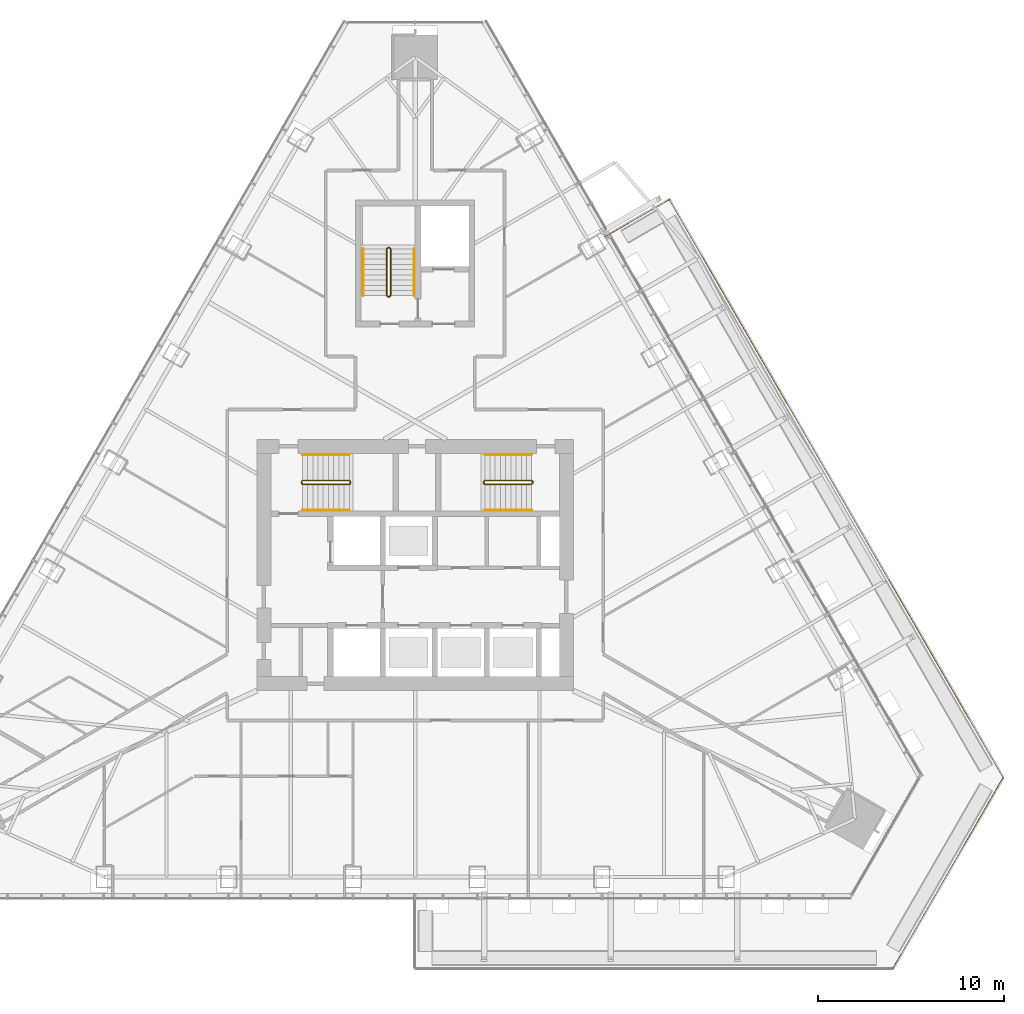
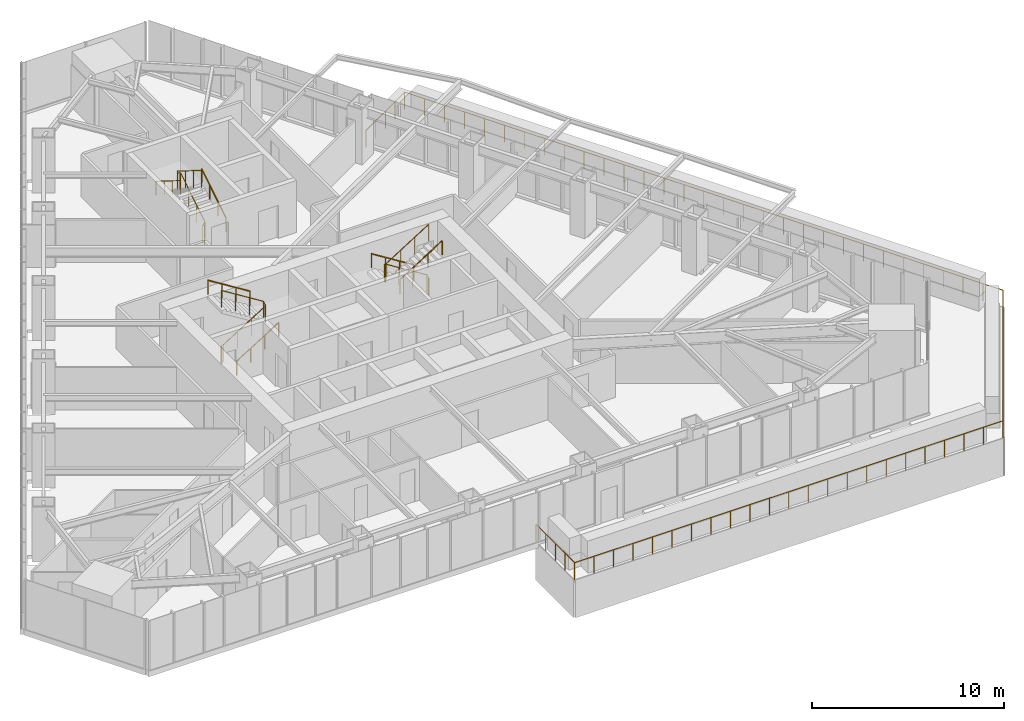
# One storey, part 15 of 17: 10 railings.
"""IFC4 building model written with IfcOpenShell, lengths in metres."""

from ifc_helpers import new_model, si_unit, direction, frame, origin, origin_2d, place, context, subcontext, project, spatial, circle, extrude, material, type_object, element, save


model = new_model("IFC4")

# Units and contexts
model_context = context("Model", 3, precision=1e-05, world=origin(), true_north=direction((0.0, 1.0)))
body_context = subcontext(model_context, "Body", "Model", "MODEL_VIEW")
ifc_project = project(units=[si_unit("LENGTHUNIT", "METRE"), si_unit("AREAUNIT", "SQUARE_METRE"), si_unit("VOLUMEUNIT", "CUBIC_METRE"), si_unit("PLANEANGLEUNIT", "RADIAN"), si_unit("MASSUNIT", "GRAM", prefix="KILO")], contexts=[model_context])

# Site, building, storey
site_placement = place(None, origin())
site = spatial("IfcSite", under=ifc_project, at=site_placement, CompositionType="ELEMENT")
building_placement = place(site_placement, origin())
building = spatial("IfcBuilding", under=site, at=building_placement, Name="Firuza Gate Tower and Library", CompositionType="ELEMENT")
storey_placement = place(building_placement, frame((0.0, 0.0, 263.60009765625)))
storey = spatial("IfcBuildingStorey", under=building, at=storey_placement, Name="L62", CompositionType="ELEMENT", Elevation=263.60009765625)

# Railings
ifc_material_1 = material(Name="Steel S355", Category="steel")
railing_type_1 = type_object("IfcRailingType", Name="Stair guard 1100", PredefinedType="GUARDRAIL", material=ifc_material_1)
railing_1_placement = place(storey_placement, frame((68.889892578125, 79.389892578125, 0.0)))
element("IfcRailing", 1, at=railing_1_placement, inside=storey, type_object=railing_type_1, Name="L62 ST1 stair guard 1", PredefinedType="GUARDRAIL", context=body_context, shape_type="SweptSolid", body=[
    extrude(circle(Radius=0.02392578125, at=origin_2d()), frame((0.0, 0.0, 1.076171875), z_axis=(0.0, 1.0, 0.0), x_axis=(-1.0, 0.0, 0.0)), (0.0, 0.0, 1.0), 0.10009765625),
    extrude(circle(Radius=0.02392578125, at=origin_2d()), frame((0.0, 0.10009765625, 1.076171875), z_axis=(0.212383695785, -0.636115069328, 0.741788908207), x_axis=(0.948528701346, 0.316691178788, 0.0)), (0.0, 0.0, 1.0), 0.235595703125),
    extrude(circle(Radius=0.02392578125, at=origin_2d()), frame((0.050048828125, -0.0498046875, 1.2509765625), z_axis=(0.847970611238, 0.0, 0.530043245855), x_axis=(0.0, 1.0, 0.0)), (0.0, 0.0, 1.0), 2.971923828125),
    extrude(circle(Radius=0.02392578125, at=origin_2d()), frame((2.570068359375, -0.0498046875, 2.826171875), z_axis=(0.708833529934, 0.705375805398, 0.0), x_axis=(-0.705375805398, 0.708833529934, 0.0)), (0.0, 0.0, 1.0), 0.070556640625),
    extrude(circle(Radius=0.02392578125, at=origin_2d()), frame((2.6201171875, 0.0, 2.826171875), z_axis=(0.0, 1.0, 0.0), x_axis=(-1.0, 0.0, 0.0)), (0.0, 0.0, 1.0), 0.10009765625),
    extrude(circle(Radius=0.02392578125, at=origin_2d()), frame((2.6201171875, 0.10009765625, 2.826171875), z_axis=(-0.265383341853, 0.265383341853, 0.926899867156), x_axis=(-0.707106781187, -0.707106781187, 0.0)), (0.0, 0.0, 1.0), 0.1884765625),
    extrude(circle(Radius=0.02392578125, at=origin_2d()), frame((2.570068359375, 0.150146484375, 3.0009765625), z_axis=(-0.847970611238, 0.0, 0.530043245855), x_axis=(0.0, -1.0, 0.0)), (0.0, 0.0, 1.0), 2.971923828125),
    extrude(circle(Radius=0.02099609375, at=origin_2d()), origin(), (0.0, 0.0, 1.0), 1.052001953125),
    extrude(circle(Radius=0.02099609375, at=origin_2d()), frame((0.0, 0.10009765625, 0.0)), (0.0, 0.0, 1.0), 1.052001953125),
    extrude(circle(Radius=0.02099609375, at=origin_2d()), frame((0.050048828125, -0.0498046875, 0.1748046875)), (0.0, 0.0, 1.0), 1.052001953125),
    extrude(circle(Radius=0.02099609375, at=origin_2d()), frame((0.89013671875, -0.0498046875, 0.699951171875)), (0.0, 0.0, 1.0), 1.052001953125),
    extrude(circle(Radius=0.02099609375, at=origin_2d()), frame((1.72998046875, -0.0498046875, 1.224853515625)), (0.0, 0.0, 1.0), 1.052001953125),
    extrude(circle(Radius=0.02099609375, at=origin_2d()), frame((2.570068359375, -0.0498046875, 1.75)), (0.0, 0.0, 1.0), 1.052001953125),
    extrude(circle(Radius=0.02099609375, at=origin_2d()), frame((2.6201171875, 0.0, 1.75)), (0.0, 0.0, 1.0), 1.052001953125),
    extrude(circle(Radius=0.02099609375, at=origin_2d()), frame((2.6201171875, 0.10009765625, 1.75)), (0.0, 0.0, 1.0), 1.052001953125),
    extrude(circle(Radius=0.02099609375, at=origin_2d()), frame((2.570068359375, 0.150146484375, 1.9248046875)), (0.0, 0.0, 1.0), 1.052001953125),
    extrude(circle(Radius=0.02099609375, at=origin_2d()), frame((1.72998046875, 0.150146484375, 2.449951171875)), (0.0, 0.0, 1.0), 1.052001953125),
    extrude(circle(Radius=0.02099609375, at=origin_2d()), frame((0.89013671875, 0.150146484375, 2.974853515625)), (0.0, 0.0, 1.0), 1.052001953125),
    extrude(circle(Radius=0.02099609375, at=origin_2d()), frame((0.050048828125, 0.150146484375, 3.5)), (0.0, 0.0, 1.0), 1.052001953125),
])
railing_2_placement = place(storey_placement, frame((81.31005859375, 79.489990234375, 0.0)))
element("IfcRailing", 2, at=railing_2_placement, inside=storey, type_object=railing_type_1, Name="L62 ST2 stair guard 1", PredefinedType="GUARDRAIL", context=body_context, shape_type="SweptSolid", body=[
    extrude(circle(Radius=0.02392578125, at=origin_2d()), frame((0.0, 0.0, 1.076171875), z_axis=(0.0, -1.0, 0.0), x_axis=(1.0, 0.0, 0.0)), (0.0, 0.0, 1.0), 0.10009765625),
    extrude(circle(Radius=0.02392578125, at=origin_2d()), frame((0.0, -0.10009765625, 1.076171875), z_axis=(-0.21224375372, 0.63673126116, 0.741300134944), x_axis=(-0.948683298051, -0.316227766017, 0.0)), (0.0, 0.0, 1.0), 0.23583984375),
    extrude(circle(Radius=0.02392578125, at=origin_2d()), frame((-0.050048828125, 0.050048828125, 1.2509765625), z_axis=(-0.847970611238, 0.0, 0.530043245855), x_axis=(0.0, -1.0, 0.0)), (0.0, 0.0, 1.0), 2.971923828125),
    extrude(circle(Radius=0.02392578125, at=origin_2d()), frame((-2.570068359375, 0.050048828125, 2.826171875), z_axis=(-0.707106781187, -0.707106781187, 0.0), x_axis=(0.707106781187, -0.707106781187, 0.0)), (0.0, 0.0, 1.0), 0.07080078125),
    extrude(circle(Radius=0.02392578125, at=origin_2d()), frame((-2.6201171875, 0.0, 2.826171875), z_axis=(0.0, -1.0, 0.0), x_axis=(1.0, 0.0, 0.0)), (0.0, 0.0, 1.0), 0.10009765625),
    extrude(circle(Radius=0.02392578125, at=origin_2d()), frame((-2.6201171875, -0.10009765625, 2.826171875), z_axis=(0.265474339444, -0.264179342666, 0.927217692888), x_axis=(0.705375805398, 0.708833529934, 0.0)), (0.0, 0.0, 1.0), 0.1884765625),
    extrude(circle(Radius=0.02392578125, at=origin_2d()), frame((-2.570068359375, -0.14990234375, 3.0009765625), z_axis=(0.847970611238, 0.0, 0.530043245855), x_axis=(0.0, 1.0, 0.0)), (0.0, 0.0, 1.0), 2.971923828125),
    extrude(circle(Radius=0.02099609375, at=origin_2d()), origin(), (0.0, 0.0, 1.0), 1.052001953125),
    extrude(circle(Radius=0.02099609375, at=origin_2d()), frame((0.0, -0.10009765625, 0.0)), (0.0, 0.0, 1.0), 1.052001953125),
    extrude(circle(Radius=0.02099609375, at=origin_2d()), frame((-0.050048828125, 0.050048828125, 0.1748046875)), (0.0, 0.0, 1.0), 1.052001953125),
    extrude(circle(Radius=0.02099609375, at=origin_2d()), frame((-0.89013671875, 0.050048828125, 0.699951171875)), (0.0, 0.0, 1.0), 1.052001953125),
    extrude(circle(Radius=0.02099609375, at=origin_2d()), frame((-1.72998046875, 0.050048828125, 1.224853515625)), (0.0, 0.0, 1.0), 1.052001953125),
    extrude(circle(Radius=0.02099609375, at=origin_2d()), frame((-2.570068359375, 0.050048828125, 1.75)), (0.0, 0.0, 1.0), 1.052001953125),
    extrude(circle(Radius=0.02099609375, at=origin_2d()), frame((-2.6201171875, 0.0, 1.75)), (0.0, 0.0, 1.0), 1.052001953125),
    extrude(circle(Radius=0.02099609375, at=origin_2d()), frame((-2.6201171875, -0.10009765625, 1.75)), (0.0, 0.0, 1.0), 1.052001953125),
    extrude(circle(Radius=0.02099609375, at=origin_2d()), frame((-2.570068359375, -0.14990234375, 1.9248046875)), (0.0, 0.0, 1.0), 1.052001953125),
    extrude(circle(Radius=0.02099609375, at=origin_2d()), frame((-1.72998046875, -0.14990234375, 2.449951171875)), (0.0, 0.0, 1.0), 1.052001953125),
    extrude(circle(Radius=0.02099609375, at=origin_2d()), frame((-0.89013671875, -0.14990234375, 2.974853515625)), (0.0, 0.0, 1.0), 1.052001953125),
    extrude(circle(Radius=0.02099609375, at=origin_2d()), frame((-0.050048828125, -0.14990234375, 3.5)), (0.0, 0.0, 1.0), 1.052001953125),
])
railing_3_placement = place(storey_placement, frame((73.6298828125, 89.419921875, 0.0)))
element("IfcRailing", 3, at=railing_3_placement, inside=storey, type_object=railing_type_1, Name="L62 ST3 stair guard 1", PredefinedType="GUARDRAIL", context=body_context, shape_type="SweptSolid", body=[
    extrude(circle(Radius=0.02392578125, at=origin_2d()), frame((0.0, 0.0, 1.076171875), z_axis=(-1.0, 0.0, 0.0), x_axis=(0.0, -1.0, 0.0)), (0.0, 0.0, 1.0), 0.099853515625),
    extrude(circle(Radius=0.02392578125, at=origin_2d()), frame((-0.099853515625, 0.0, 1.076171875), z_axis=(0.636115069328, 0.212383695785, 0.741788908207), x_axis=(-0.316691178788, 0.948528701346, 0.0)), (0.0, 0.0, 1.0), 0.235595703125),
    extrude(circle(Radius=0.02392578125, at=origin_2d()), frame((0.050048828125, 0.050048828125, 1.2509765625), z_axis=(0.0, 0.847970611238, 0.530043245855), x_axis=(-1.0, 0.0, 0.0)), (0.0, 0.0, 1.0), 2.971923828125),
    extrude(circle(Radius=0.02392578125, at=origin_2d()), frame((0.050048828125, 2.570068359375, 2.826171875), z_axis=(-0.707106781187, 0.707106781187, 0.0), x_axis=(-0.707106781187, -0.707106781187, 0.0)), (0.0, 0.0, 1.0), 0.07080078125),
    extrude(circle(Radius=0.02392578125, at=origin_2d()), frame((0.0, 2.6201171875, 2.826171875), z_axis=(-1.0, 0.0, 0.0), x_axis=(0.0, -1.0, 0.0)), (0.0, 0.0, 1.0), 0.099853515625),
    extrude(circle(Radius=0.02392578125, at=origin_2d()), frame((-0.099853515625, 2.6201171875, 2.826171875), z_axis=(-0.265383341853, -0.265383341853, 0.926899867156), x_axis=(0.707106781187, -0.707106781187, 0.0)), (0.0, 0.0, 1.0), 0.1884765625),
    extrude(circle(Radius=0.02392578125, at=origin_2d()), frame((-0.14990234375, 2.570068359375, 3.0009765625), z_axis=(0.0, -0.847970611238, 0.530043245855), x_axis=(1.0, 0.0, 0.0)), (0.0, 0.0, 1.0), 2.971923828125),
    extrude(circle(Radius=0.02099609375, at=origin_2d()), origin(), (0.0, 0.0, 1.0), 1.052001953125),
    extrude(circle(Radius=0.02099609375, at=origin_2d()), frame((-0.099853515625, 0.0, 0.0)), (0.0, 0.0, 1.0), 1.052001953125),
    extrude(circle(Radius=0.02099609375, at=origin_2d()), frame((0.050048828125, 0.050048828125, 0.1748046875)), (0.0, 0.0, 1.0), 1.052001953125),
    extrude(circle(Radius=0.02099609375, at=origin_2d()), frame((0.050048828125, 0.89013671875, 0.699951171875)), (0.0, 0.0, 1.0), 1.052001953125),
    extrude(circle(Radius=0.02099609375, at=origin_2d()), frame((0.050048828125, 1.72998046875, 1.224853515625)), (0.0, 0.0, 1.0), 1.052001953125),
    extrude(circle(Radius=0.02099609375, at=origin_2d()), frame((0.050048828125, 2.570068359375, 1.75)), (0.0, 0.0, 1.0), 1.052001953125),
    extrude(circle(Radius=0.02099609375, at=origin_2d()), frame((0.0, 2.6201171875, 1.75)), (0.0, 0.0, 1.0), 1.052001953125),
    extrude(circle(Radius=0.02099609375, at=origin_2d()), frame((-0.099853515625, 2.6201171875, 1.75)), (0.0, 0.0, 1.0), 1.052001953125),
    extrude(circle(Radius=0.02099609375, at=origin_2d()), frame((-0.14990234375, 2.570068359375, 1.9248046875)), (0.0, 0.0, 1.0), 1.052001953125),
    extrude(circle(Radius=0.02099609375, at=origin_2d()), frame((-0.14990234375, 1.72998046875, 2.449951171875)), (0.0, 0.0, 1.0), 1.052001953125),
    extrude(circle(Radius=0.02099609375, at=origin_2d()), frame((-0.14990234375, 0.89013671875, 2.974853515625)), (0.0, 0.0, 1.0), 1.052001953125),
    extrude(circle(Radius=0.02099609375, at=origin_2d()), frame((-0.14990234375, 0.050048828125, 3.5)), (0.0, 0.0, 1.0), 1.052001953125),
])
ifc_material_2 = material(Name="Steel S355", Category="steel")
railing_type_2 = type_object("IfcRailingType", Name="Stair handrail 900", PredefinedType="HANDRAIL", material=ifc_material_2)
railing_4_placement = place(storey_placement, frame((68.93994140625, 77.949951171875, 0.1748046875)))
element("IfcRailing", 4, at=railing_4_placement, inside=storey, type_object=railing_type_2, Name="L62 ST1 stair handrail 1", PredefinedType="HANDRAIL", context=body_context, shape_type="SweptSolid", body=[
    extrude(circle(Radius=0.02392578125, at=origin_2d()), frame((0.0, 0.0, 0.8759765625), z_axis=(0.847970611238, 0.0, 0.530043245855), x_axis=(0.0, 1.0, 0.0)), (0.0, 0.0, 1.0), 2.971923828125),
    extrude(circle(Radius=0.02099609375, at=origin_2d()), origin(), (0.0, 0.0, 1.0), 0.851806640625),
    extrude(circle(Radius=0.02099609375, at=origin_2d()), frame((0.840087890625, 0.0, 0.525146484375)), (0.0, 0.0, 1.0), 0.851806640625),
    extrude(circle(Radius=0.02099609375, at=origin_2d()), frame((1.679931640625, 0.0, 1.050048828125)), (0.0, 0.0, 1.0), 0.851806640625),
    extrude(circle(Radius=0.02099609375, at=origin_2d()), frame((2.52001953125, 0.0, 1.5751953125)), (0.0, 0.0, 1.0), 0.851806640625),
])
for number, where, name in (
    (5, (71.4599609375, 80.929931640625, 1.9248046875), "L62 ST1 stair handrail 2"),
    (6, (81.260009765625, 80.929931640625, 0.1748046875), "L62 ST2 stair handrail 1"),
):
    element("IfcRailing", number, at=place(storey_placement, frame(where)), inside=storey, type_object=railing_type_2, Name=name, PredefinedType="HANDRAIL", context=body_context, shape_type="SweptSolid", body=[
        extrude(circle(Radius=0.02392578125, at=origin_2d()), frame((0.0, 0.0, 0.8759765625), z_axis=(-0.847970611238, 0.0, 0.530043245855), x_axis=(0.0, -1.0, 0.0)), (0.0, 0.0, 1.0), 2.971923828125),
        extrude(circle(Radius=0.02099609375, at=origin_2d()), origin(), (0.0, 0.0, 1.0), 0.851806640625),
        extrude(circle(Radius=0.02099609375, at=origin_2d()), frame((-0.840087890625, 0.0, 0.525146484375)), (0.0, 0.0, 1.0), 0.851806640625),
        extrude(circle(Radius=0.02099609375, at=origin_2d()), frame((-1.679931640625, 0.0, 1.050048828125)), (0.0, 0.0, 1.0), 0.851806640625),
        extrude(circle(Radius=0.02099609375, at=origin_2d()), frame((-2.52001953125, 0.0, 1.5751953125)), (0.0, 0.0, 1.0), 0.851806640625),
    ])
railing_5_placement = place(storey_placement, frame((78.739990234375, 77.949951171875, 1.9248046875)))
element("IfcRailing", 7, at=railing_5_placement, inside=storey, type_object=railing_type_2, Name="L62 ST2 stair handrail 2", PredefinedType="HANDRAIL", context=body_context, shape_type="SweptSolid", body=[
    extrude(circle(Radius=0.02392578125, at=origin_2d()), frame((0.0, 0.0, 0.8759765625), z_axis=(0.847970611238, 0.0, 0.530043245855), x_axis=(0.0, 1.0, 0.0)), (0.0, 0.0, 1.0), 2.971923828125),
    extrude(circle(Radius=0.02099609375, at=origin_2d()), origin(), (0.0, 0.0, 1.0), 0.851806640625),
    extrude(circle(Radius=0.02099609375, at=origin_2d()), frame((0.840087890625, 0.0, 0.525146484375)), (0.0, 0.0, 1.0), 0.851806640625),
    extrude(circle(Radius=0.02099609375, at=origin_2d()), frame((1.679931640625, 0.0, 1.050048828125)), (0.0, 0.0, 1.0), 0.851806640625),
    extrude(circle(Radius=0.02099609375, at=origin_2d()), frame((2.52001953125, 0.0, 1.5751953125)), (0.0, 0.0, 1.0), 0.851806640625),
])
railing_6_placement = place(storey_placement, frame((74.949951171875, 89.469970703125, 0.1748046875)))
element("IfcRailing", 8, at=railing_6_placement, inside=storey, type_object=railing_type_2, Name="L62 ST3 stair handrail 1", PredefinedType="HANDRAIL", context=body_context, shape_type="SweptSolid", body=[
    extrude(circle(Radius=0.02392578125, at=origin_2d()), frame((0.0, 0.0, 0.8759765625), z_axis=(0.0, 0.847970611238, 0.530043245855), x_axis=(-1.0, 0.0, 0.0)), (0.0, 0.0, 1.0), 2.971923828125),
    extrude(circle(Radius=0.02099609375, at=origin_2d()), origin(), (0.0, 0.0, 1.0), 0.851806640625),
    extrude(circle(Radius=0.02099609375, at=origin_2d()), frame((0.0, 0.840087890625, 0.525146484375)), (0.0, 0.0, 1.0), 0.851806640625),
    extrude(circle(Radius=0.02099609375, at=origin_2d()), frame((0.0, 1.679931640625, 1.050048828125)), (0.0, 0.0, 1.0), 0.851806640625),
    extrude(circle(Radius=0.02099609375, at=origin_2d()), frame((0.0, 2.52001953125, 1.5751953125)), (0.0, 0.0, 1.0), 0.851806640625),
])
railing_7_placement = place(storey_placement, frame((72.2099609375, 91.989990234375, 1.9248046875)))
element("IfcRailing", 9, at=railing_7_placement, inside=storey, type_object=railing_type_2, Name="L62 ST3 stair handrail 2", PredefinedType="HANDRAIL", context=body_context, shape_type="SweptSolid", body=[
    extrude(circle(Radius=0.02392578125, at=origin_2d()), frame((0.0, 0.0, 0.8759765625), z_axis=(0.0, -0.847970611238, 0.530043245855), x_axis=(1.0, 0.0, 0.0)), (0.0, 0.0, 1.0), 2.971923828125),
    extrude(circle(Radius=0.02099609375, at=origin_2d()), origin(), (0.0, 0.0, 1.0), 0.851806640625),
    extrude(circle(Radius=0.02099609375, at=origin_2d()), frame((0.0, -0.840087890625, 0.525146484375)), (0.0, 0.0, 1.0), 0.851806640625),
    extrude(circle(Radius=0.02099609375, at=origin_2d()), frame((0.0, -1.679931640625, 1.050048828125)), (0.0, 0.0, 1.0), 0.851806640625),
    extrude(circle(Radius=0.02099609375, at=origin_2d()), frame((0.0, -2.52001953125, 1.5751953125)), (0.0, 0.0, 1.0), 0.851806640625),
])
ifc_material_3 = material(Name="Steel S355", Category="steel")
railing_type_3 = type_object("IfcRailingType", Name="Terrace guard 1100", PredefinedType="GUARDRAIL", material=ifc_material_3)
railing_8_placement = place(storey_placement, frame((75.0, 57.33935546875, 0.0)))
element("IfcRailing", 10, at=railing_8_placement, inside=storey, type_object=railing_type_3, Name="Tray guard L62", PredefinedType="GUARDRAIL", context=body_context, shape_type="SweptSolid", body=[
    extrude(circle(Radius=0.02392578125, at=origin_2d()), frame((0.0, 0.0, 1.076171875), z_axis=(0.0, -1.0, 0.0), x_axis=(1.0, 0.0, 0.0)), (0.0, 0.0, 1.0), 4.0),
    extrude(circle(Radius=0.02392578125, at=origin_2d()), frame((0.0, -4.0, 1.076171875), z_axis=(1.0, 0.0, 0.0), x_axis=(0.0, 1.0, 0.0)), (0.0, 0.0, 1.0), 25.69873046875),
    extrude(circle(Radius=0.02392578125, at=origin_2d()), frame((25.69873046875, -4.0, 1.076171875), z_axis=(0.500002592159, 0.866023907196, 0.0), x_axis=(-0.866023907196, 0.500002592159, 0.0)), (0.0, 0.0, 1.0), 11.81884765625),
    extrude(circle(Radius=0.02392578125, at=origin_2d()), frame((31.608154296875, 6.2353515625, 1.076171875), z_axis=(-0.500000739281, 0.86602497696, 0.0), x_axis=(-0.86602497696, -0.500000739281, 0.0)), (0.0, 0.0, 1.0), 35.89501953125),
    extrude(circle(Radius=0.02392578125, at=origin_2d()), frame((13.66064453125, 37.3212890625, 1.076171875), z_axis=(-0.866026010844, -0.49999894854, 0.0), x_axis=(0.49999894854, -0.866026010844, 0.0)), (0.0, 0.0, 1.0), 4.0),
    extrude(circle(Radius=0.02099609375, at=origin_2d()), origin(), (0.0, 0.0, 1.0), 1.052001953125),
    extrude(circle(Radius=0.02099609375, at=origin_2d()), frame((0.0, -1.0, 0.0)), (0.0, 0.0, 1.0), 1.052001953125),
    extrude(circle(Radius=0.02099609375, at=origin_2d()), frame((0.0, -2.0, 0.0)), (0.0, 0.0, 1.0), 1.052001953125),
    extrude(circle(Radius=0.02099609375, at=origin_2d()), frame((0.0, -3.0, 0.0)), (0.0, 0.0, 1.0), 1.052001953125),
    extrude(circle(Radius=0.02099609375, at=origin_2d()), frame((0.0, -4.0, 0.0)), (0.0, 0.0, 1.0), 1.052001953125),
    extrude(circle(Radius=0.02099609375, at=origin_2d()), frame((1.168212890625, -4.0, 0.0)), (0.0, 0.0, 1.0), 1.052001953125),
    extrude(circle(Radius=0.02099609375, at=origin_2d()), frame((2.336181640625, -4.0, 0.0)), (0.0, 0.0, 1.0), 1.052001953125),
    extrude(circle(Radius=0.02099609375, at=origin_2d()), frame((3.50439453125, -4.0, 0.0)), (0.0, 0.0, 1.0), 1.052001953125),
    extrude(circle(Radius=0.02099609375, at=origin_2d()), frame((4.672607421875, -4.0, 0.0)), (0.0, 0.0, 1.0), 1.052001953125),
    extrude(circle(Radius=0.02099609375, at=origin_2d()), frame((5.840576171875, -4.0, 0.0)), (0.0, 0.0, 1.0), 1.052001953125),
    extrude(circle(Radius=0.02099609375, at=origin_2d()), frame((7.0087890625, -4.0, 0.0)), (0.0, 0.0, 1.0), 1.052001953125),
    extrude(circle(Radius=0.02099609375, at=origin_2d()), frame((8.1767578125, -4.0, 0.0)), (0.0, 0.0, 1.0), 1.052001953125),
    extrude(circle(Radius=0.02099609375, at=origin_2d()), frame((9.344970703125, -4.0, 0.0)), (0.0, 0.0, 1.0), 1.052001953125),
    extrude(circle(Radius=0.02099609375, at=origin_2d()), frame((10.51318359375, -4.0, 0.0)), (0.0, 0.0, 1.0), 1.052001953125),
    extrude(circle(Radius=0.02099609375, at=origin_2d()), frame((11.68115234375, -4.0, 0.0)), (0.0, 0.0, 1.0), 1.052001953125),
    extrude(circle(Radius=0.02099609375, at=origin_2d()), frame((12.849365234375, -4.0, 0.0)), (0.0, 0.0, 1.0), 1.052001953125),
    extrude(circle(Radius=0.02099609375, at=origin_2d()), frame((14.017578125, -4.0, 0.0)), (0.0, 0.0, 1.0), 1.052001953125),
    extrude(circle(Radius=0.02099609375, at=origin_2d()), frame((15.185546875, -4.0, 0.0)), (0.0, 0.0, 1.0), 1.052001953125),
    extrude(circle(Radius=0.02099609375, at=origin_2d()), frame((16.353759765625, -4.0, 0.0)), (0.0, 0.0, 1.0), 1.052001953125),
    extrude(circle(Radius=0.02099609375, at=origin_2d()), frame((17.52197265625, -4.0, 0.0)), (0.0, 0.0, 1.0), 1.052001953125),
    extrude(circle(Radius=0.02099609375, at=origin_2d()), frame((18.68994140625, -4.0, 0.0)), (0.0, 0.0, 1.0), 1.052001953125),
    extrude(circle(Radius=0.02099609375, at=origin_2d()), frame((19.858154296875, -4.0, 0.0)), (0.0, 0.0, 1.0), 1.052001953125),
    extrude(circle(Radius=0.02099609375, at=origin_2d()), frame((21.026123046875, -4.0, 0.0)), (0.0, 0.0, 1.0), 1.052001953125),
    extrude(circle(Radius=0.02099609375, at=origin_2d()), frame((22.1943359375, -4.0, 0.0)), (0.0, 0.0, 1.0), 1.052001953125),
    extrude(circle(Radius=0.02099609375, at=origin_2d()), frame((23.362548828125, -4.0, 0.0)), (0.0, 0.0, 1.0), 1.052001953125),
    extrude(circle(Radius=0.02099609375, at=origin_2d()), frame((24.530517578125, -4.0, 0.0)), (0.0, 0.0, 1.0), 1.052001953125),
    extrude(circle(Radius=0.02099609375, at=origin_2d()), frame((25.69873046875, -4.0, 0.0)), (0.0, 0.0, 1.0), 1.052001953125),
    extrude(circle(Radius=0.02099609375, at=origin_2d()), frame((26.28955078125, -2.9765625, 0.0)), (0.0, 0.0, 1.0), 1.052001953125),
    extrude(circle(Radius=0.02099609375, at=origin_2d()), frame((26.880615234375, -1.952880859375, 0.0)), (0.0, 0.0, 1.0), 1.052001953125),
    extrude(circle(Radius=0.02099609375, at=origin_2d()), frame((27.4716796875, -0.929443359375, 0.0)), (0.0, 0.0, 1.0), 1.052001953125),
    extrude(circle(Radius=0.02099609375, at=origin_2d()), frame((28.0625, 0.09423828125, 0.0)), (0.0, 0.0, 1.0), 1.052001953125),
    extrude(circle(Radius=0.02099609375, at=origin_2d()), frame((28.6533203125, 1.11767578125, 0.0)), (0.0, 0.0, 1.0), 1.052001953125),
    extrude(circle(Radius=0.02099609375, at=origin_2d()), frame((29.244384765625, 2.14111328125, 0.0)), (0.0, 0.0, 1.0), 1.052001953125),
    extrude(circle(Radius=0.02099609375, at=origin_2d()), frame((29.83544921875, 3.164794921875, 0.0)), (0.0, 0.0, 1.0), 1.052001953125),
    extrude(circle(Radius=0.02099609375, at=origin_2d()), frame((30.42626953125, 4.188232421875, 0.0)), (0.0, 0.0, 1.0), 1.052001953125),
    extrude(circle(Radius=0.02099609375, at=origin_2d()), frame((31.01708984375, 5.2119140625, 0.0)), (0.0, 0.0, 1.0), 1.052001953125),
    extrude(circle(Radius=0.02099609375, at=origin_2d()), frame((31.608154296875, 6.2353515625, 0.0)), (0.0, 0.0, 1.0), 1.052001953125),
    extrude(circle(Radius=0.02099609375, at=origin_2d()), frame((31.010009765625, 7.271484375, 0.0)), (0.0, 0.0, 1.0), 1.052001953125),
    extrude(circle(Radius=0.02099609375, at=origin_2d()), frame((30.41162109375, 8.307861328125, 0.0)), (0.0, 0.0, 1.0), 1.052001953125),
    extrude(circle(Radius=0.02099609375, at=origin_2d()), frame((29.8134765625, 9.343994140625, 0.0)), (0.0, 0.0, 1.0), 1.052001953125),
    extrude(circle(Radius=0.02099609375, at=origin_2d()), frame((29.215087890625, 10.380126953125, 0.0)), (0.0, 0.0, 1.0), 1.052001953125),
    extrude(circle(Radius=0.02099609375, at=origin_2d()), frame((28.616943359375, 11.416259765625, 0.0)), (0.0, 0.0, 1.0), 1.052001953125),
    extrude(circle(Radius=0.02099609375, at=origin_2d()), frame((28.0185546875, 12.45263671875, 0.0)), (0.0, 0.0, 1.0), 1.052001953125),
    extrude(circle(Radius=0.02099609375, at=origin_2d()), frame((27.42041015625, 13.48876953125, 0.0)), (0.0, 0.0, 1.0), 1.052001953125),
    extrude(circle(Radius=0.02099609375, at=origin_2d()), frame((26.822265625, 14.52490234375, 0.0)), (0.0, 0.0, 1.0), 1.052001953125),
    extrude(circle(Radius=0.02099609375, at=origin_2d()), frame((26.223876953125, 15.56103515625, 0.0)), (0.0, 0.0, 1.0), 1.052001953125),
    extrude(circle(Radius=0.02099609375, at=origin_2d()), frame((25.625732421875, 16.597412109375, 0.0)), (0.0, 0.0, 1.0), 1.052001953125),
    extrude(circle(Radius=0.02099609375, at=origin_2d()), frame((25.02734375, 17.633544921875, 0.0)), (0.0, 0.0, 1.0), 1.052001953125),
    extrude(circle(Radius=0.02099609375, at=origin_2d()), frame((24.42919921875, 18.669677734375, 0.0)), (0.0, 0.0, 1.0), 1.052001953125),
    extrude(circle(Radius=0.02099609375, at=origin_2d()), frame((23.830810546875, 19.705810546875, 0.0)), (0.0, 0.0, 1.0), 1.052001953125),
    extrude(circle(Radius=0.02099609375, at=origin_2d()), frame((23.232666015625, 20.7421875, 0.0)), (0.0, 0.0, 1.0), 1.052001953125),
    extrude(circle(Radius=0.02099609375, at=origin_2d()), frame((22.63427734375, 21.7783203125, 0.0)), (0.0, 0.0, 1.0), 1.052001953125),
    extrude(circle(Radius=0.02099609375, at=origin_2d()), frame((22.0361328125, 22.814453125, 0.0)), (0.0, 0.0, 1.0), 1.052001953125),
    extrude(circle(Radius=0.02099609375, at=origin_2d()), frame((21.43798828125, 23.850830078125, 0.0)), (0.0, 0.0, 1.0), 1.052001953125),
    extrude(circle(Radius=0.02099609375, at=origin_2d()), frame((20.839599609375, 24.886962890625, 0.0)), (0.0, 0.0, 1.0), 1.052001953125),
    extrude(circle(Radius=0.02099609375, at=origin_2d()), frame((20.241455078125, 25.923095703125, 0.0)), (0.0, 0.0, 1.0), 1.052001953125),
    extrude(circle(Radius=0.02099609375, at=origin_2d()), frame((19.64306640625, 26.959228515625, 0.0)), (0.0, 0.0, 1.0), 1.052001953125),
    extrude(circle(Radius=0.02099609375, at=origin_2d()), frame((19.044921875, 27.99560546875, 0.0)), (0.0, 0.0, 1.0), 1.052001953125),
    extrude(circle(Radius=0.02099609375, at=origin_2d()), frame((18.446533203125, 29.03173828125, 0.0)), (0.0, 0.0, 1.0), 1.052001953125),
    extrude(circle(Radius=0.02099609375, at=origin_2d()), frame((17.848388671875, 30.06787109375, 0.0)), (0.0, 0.0, 1.0), 1.052001953125),
    extrude(circle(Radius=0.02099609375, at=origin_2d()), frame((17.250244140625, 31.10400390625, 0.0)), (0.0, 0.0, 1.0), 1.052001953125),
    extrude(circle(Radius=0.02099609375, at=origin_2d()), frame((16.65185546875, 32.140380859375, 0.0)), (0.0, 0.0, 1.0), 1.052001953125),
    extrude(circle(Radius=0.02099609375, at=origin_2d()), frame((16.0537109375, 33.176513671875, 0.0)), (0.0, 0.0, 1.0), 1.052001953125),
    extrude(circle(Radius=0.02099609375, at=origin_2d()), frame((15.455322265625, 34.212646484375, 0.0)), (0.0, 0.0, 1.0), 1.052001953125),
    extrude(circle(Radius=0.02099609375, at=origin_2d()), frame((14.857177734375, 35.248779296875, 0.0)), (0.0, 0.0, 1.0), 1.052001953125),
    extrude(circle(Radius=0.02099609375, at=origin_2d()), frame((14.2587890625, 36.28515625, 0.0)), (0.0, 0.0, 1.0), 1.052001953125),
    extrude(circle(Radius=0.02099609375, at=origin_2d()), frame((13.66064453125, 37.3212890625, 0.0)), (0.0, 0.0, 1.0), 1.052001953125),
    extrude(circle(Radius=0.02099609375, at=origin_2d()), frame((12.794677734375, 36.8212890625, 0.0)), (0.0, 0.0, 1.0), 1.052001953125),
    extrude(circle(Radius=0.02099609375, at=origin_2d()), frame((11.9287109375, 36.3212890625, 0.0)), (0.0, 0.0, 1.0), 1.052001953125),
    extrude(circle(Radius=0.02099609375, at=origin_2d()), frame((11.0625, 35.8212890625, 0.0)), (0.0, 0.0, 1.0), 1.052001953125),
    extrude(circle(Radius=0.02099609375, at=origin_2d()), frame((10.196533203125, 35.3212890625, 0.0)), (0.0, 0.0, 1.0), 1.052001953125),
])

save(model, "model.ifc")
